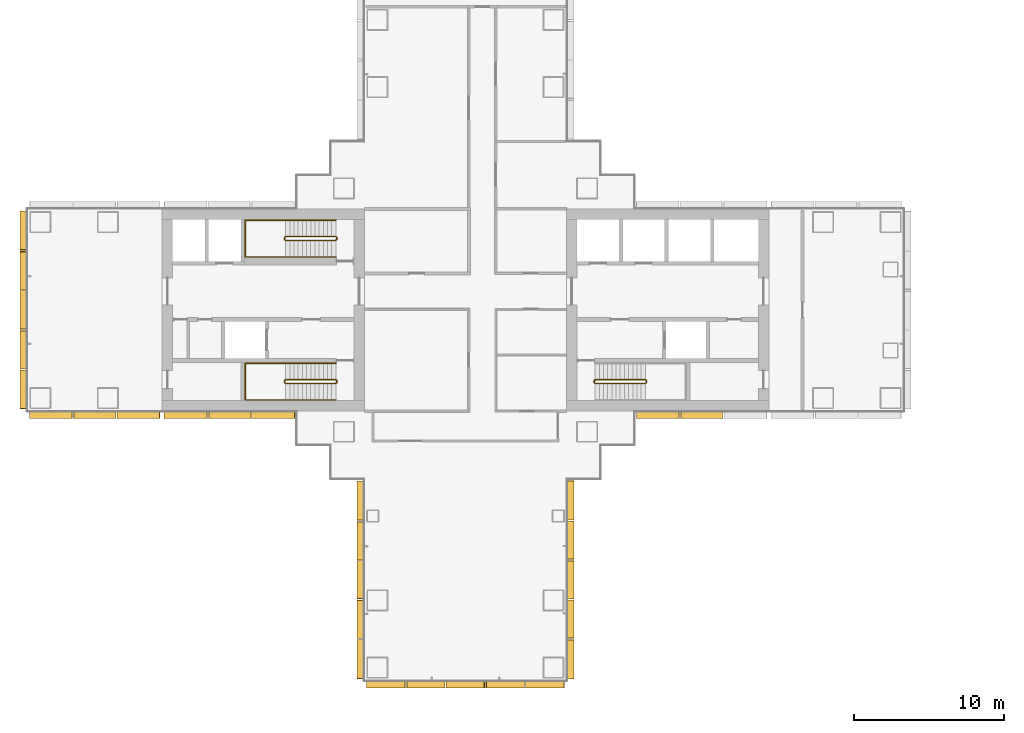
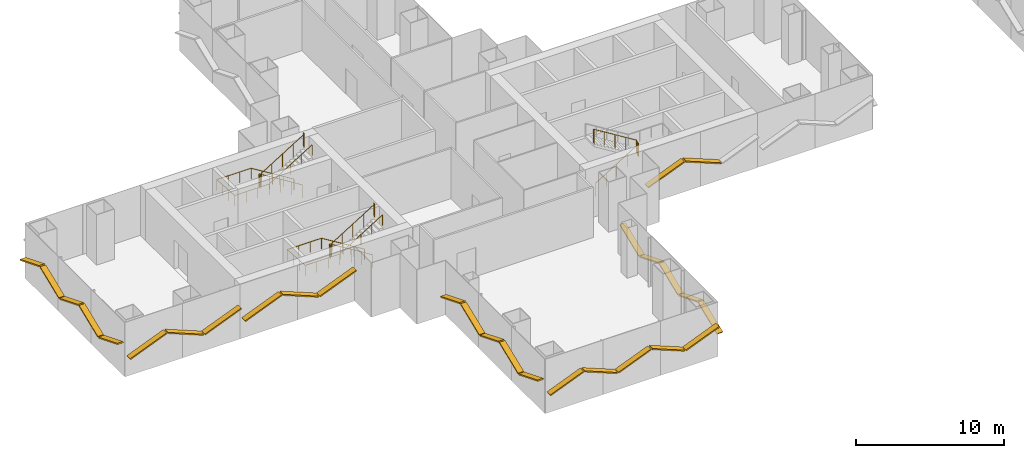
# One storey, part 19 of 22: 28 shading devices, 5 railings.
"""IFC4 building model written with IfcOpenShell, lengths in metres."""

from ifc_helpers import new_model, si_unit, direction, frame, origin, origin_2d, place, context, subcontext, project, spatial, rectangle, circle, extrude, material, material_profile, profile_set, type_object, element, save


model = new_model("IFC4")

# Units and contexts
model_context = context("Model", 3, precision=1e-05, world=origin(), true_north=direction((0.0, 1.0)))
body_context = subcontext(model_context, "Body", "Model", "MODEL_VIEW")
ifc_project = project(units=[si_unit("LENGTHUNIT", "METRE"), si_unit("AREAUNIT", "SQUARE_METRE"), si_unit("VOLUMEUNIT", "CUBIC_METRE"), si_unit("PLANEANGLEUNIT", "RADIAN"), si_unit("MASSUNIT", "GRAM", prefix="KILO")], contexts=[model_context])

# Site, building, storey
site_placement = place(None, origin())
site = spatial("IfcSite", under=ifc_project, at=site_placement, CompositionType="ELEMENT")
building_placement = place(site_placement, origin())
building = spatial("IfcBuilding", under=site, at=building_placement, Name="Shamsa Quay Exchange Towers", CompositionType="ELEMENT")
storey_placement = place(building_placement, frame((0.0, 0.0, 33.0)))
storey = spatial("IfcBuildingStorey", under=building, at=storey_placement, Name="L06", CompositionType="ELEMENT", Elevation=33.0)

# Shading devices
ifc_material_1 = material(Name="Aluminium EN AW-6063 T6, black anodised", Category="aluminium")
ifc_material_profile = material_profile(ifc_material_1, rectangle(XDim=0.449951171875, YDim=0.10009765625, at=origin_2d()), Name="FIN450x100")
ifc_profile_set = profile_set([ifc_material_profile], Name="Aluminium EN AW-6063 T6, black anodised")
shading_device_type = type_object("IfcShadingDeviceType", Name="FIN 450x100 BLACK ALUMINIUM", PredefinedType="USERDEFINED", material=ifc_profile_set)
shading_device_1_placement = place(storey_placement, frame((-40.764892578125, -11.43798828125, 1.37841796875), z_axis=(0.0, -0.927207886392, 0.374547107067), x_axis=(1.0, 0.0, 0.0)))
element("IfcShadingDevice", 1, at=shading_device_1_placement, inside=storey, type_object=shading_device_type, Name="FIN T1 chevron rib", ObjectType="FIN", PredefinedType="USERDEFINED", context=body_context, shape_type="SweptSolid", body=[
    extrude(rectangle(XDim=0.449951171875, YDim=0.10009765625, at=origin_2d()), origin(), (0.0, 0.0, 1.0), 2.78515625),
])
for number, where, z_axis, x_axis, name in (
    (2, (-40.764892578125, -14.120361328125, 2.41162109375), (0.0, -0.927182738176, -0.374609356569), (1.0, 0.0, 0.0), "FIN T1 chevron rib"),
    (3, (-40.764892578125, -16.752685546875, 1.388427734375), (0.0, -0.927182738176, 0.374609356569), (1.0, 0.0, 0.0), "FIN T1 chevron rib"),
):
    element("IfcShadingDevice", number, at=place(storey_placement, frame(where, z_axis=z_axis, x_axis=x_axis)), inside=storey, type_object=shading_device_type, Name=name, ObjectType="FIN", PredefinedType="USERDEFINED", context=body_context, shape_type="SweptSolid", body=[
        extrude(rectangle(XDim=0.449951171875, YDim=0.10009765625, at=origin_2d()), origin(), (0.0, 0.0, 1.0), 2.7314453125),
    ])
shading_device_2_placement = place(storey_placement, frame((-40.764892578125, -19.38525390625, 2.41162109375), z_axis=(0.0, -0.927170193131, -0.37464040488), x_axis=(1.0, 0.0, 0.0)))
element("IfcShadingDevice", 4, at=shading_device_2_placement, inside=storey, type_object=shading_device_type, Name="FIN T1 chevron rib", ObjectType="FIN", PredefinedType="USERDEFINED", context=body_context, shape_type="SweptSolid", body=[
    extrude(rectangle(XDim=0.449951171875, YDim=0.10009765625, at=origin_2d()), origin(), (0.0, 0.0, 1.0), 2.731201171875),
])
shading_device_3_placement = place(storey_placement, frame((-40.764892578125, -22.017578125, 1.37841796875), z_axis=(0.0, -0.927207886392, 0.374547107067), x_axis=(1.0, 0.0, 0.0)))
element("IfcShadingDevice", 5, at=shading_device_3_placement, inside=storey, type_object=shading_device_type, Name="FIN T1 chevron rib", ObjectType="FIN", PredefinedType="USERDEFINED", context=body_context, shape_type="SweptSolid", body=[
    extrude(rectangle(XDim=0.449951171875, YDim=0.10009765625, at=origin_2d()), origin(), (0.0, 0.0, 1.0), 2.78515625),
])
shading_device_4_placement = place(storey_placement, frame((-40.35009765625, -25.014892578125, 1.376708984375), z_axis=(0.927193392866, 0.0, 0.374582984431), x_axis=(0.0, 1.0, 0.0)))
element("IfcShadingDevice", 6, at=shading_device_4_placement, inside=storey, type_object=shading_device_type, Name="FIN T1 chevron rib", ObjectType="FIN", PredefinedType="USERDEFINED", context=body_context, shape_type="SweptSolid", body=[
    extrude(rectangle(XDim=0.449951171875, YDim=0.10009765625, at=origin_2d()), origin(), (0.0, 0.0, 1.0), 2.79345703125),
])
shading_device_5_placement = place(storey_placement, frame((-37.659912109375, -25.014892578125, 2.4130859375), z_axis=(0.92718648049, 0.0, -0.374600093963), x_axis=(0.0, 1.0, 0.0)))
element("IfcShadingDevice", 7, at=shading_device_5_placement, inside=storey, type_object=shading_device_type, Name="FIN T1 chevron rib", ObjectType="FIN", PredefinedType="USERDEFINED", context=body_context, shape_type="SweptSolid", body=[
    extrude(rectangle(XDim=0.449951171875, YDim=0.10009765625, at=origin_2d()), origin(), (0.0, 0.0, 1.0), 2.7392578125),
])
shading_device_6_placement = place(storey_placement, frame((-35.02001953125, -25.014892578125, 1.386962890625), z_axis=(0.927198985683, 0.0, 0.37456914041), x_axis=(0.0, 1.0, 0.0)))
element("IfcShadingDevice", 8, at=shading_device_6_placement, inside=storey, type_object=shading_device_type, Name="FIN T1 chevron rib", ObjectType="FIN", PredefinedType="USERDEFINED", context=body_context, shape_type="SweptSolid", body=[
    extrude(rectangle(XDim=0.449951171875, YDim=0.10009765625, at=origin_2d()), origin(), (0.0, 0.0, 1.0), 2.739501953125),
])
shading_device_7_placement = place(storey_placement, frame((-32.3798828125, -25.014892578125, 2.4130859375), z_axis=(0.92718648049, 0.0, -0.374600093963), x_axis=(0.0, 1.0, 0.0)))
element("IfcShadingDevice", 9, at=shading_device_7_placement, inside=storey, type_object=shading_device_type, Name="FIN T1 chevron rib", ObjectType="FIN", PredefinedType="USERDEFINED", context=body_context, shape_type="SweptSolid", body=[
    extrude(rectangle(XDim=0.449951171875, YDim=0.10009765625, at=origin_2d()), origin(), (0.0, 0.0, 1.0), 2.7392578125),
])
for number, where, z_axis, x_axis, name in (
    (10, (-29.739990234375, -25.014892578125, 1.376708984375), (0.927193392866, 0.0, 0.374582984431), (0.0, 1.0, 0.0), "FIN T1 chevron rib"),
    (11, (-26.735107421875, -24.60009765625, 1.376708984375), (0.0, 0.927193392866, 0.374582984431), (-1.0, 0.0, 0.0), "FIN T1 chevron rib"),
):
    element("IfcShadingDevice", number, at=place(storey_placement, frame(where, z_axis=z_axis, x_axis=x_axis)), inside=storey, type_object=shading_device_type, Name=name, ObjectType="FIN", PredefinedType="USERDEFINED", context=body_context, shape_type="SweptSolid", body=[
        extrude(rectangle(XDim=0.449951171875, YDim=0.10009765625, at=origin_2d()), origin(), (0.0, 0.0, 1.0), 2.79345703125),
    ])
shading_device_8_placement = place(storey_placement, frame((-26.735107421875, -21.909912109375, 2.4130859375), z_axis=(0.0, 0.92718648049, -0.374600093963), x_axis=(-1.0, 0.0, 0.0)))
element("IfcShadingDevice", 12, at=shading_device_8_placement, inside=storey, type_object=shading_device_type, Name="FIN T1 chevron rib", ObjectType="FIN", PredefinedType="USERDEFINED", context=body_context, shape_type="SweptSolid", body=[
    extrude(rectangle(XDim=0.449951171875, YDim=0.10009765625, at=origin_2d()), origin(), (0.0, 0.0, 1.0), 2.7392578125),
])
shading_device_9_placement = place(storey_placement, frame((-26.735107421875, -19.27001953125, 1.386962890625), z_axis=(0.0, 0.927198985683, 0.37456914041), x_axis=(-1.0, 0.0, 0.0)))
element("IfcShadingDevice", 13, at=shading_device_9_placement, inside=storey, type_object=shading_device_type, Name="FIN T1 chevron rib", ObjectType="FIN", PredefinedType="USERDEFINED", context=body_context, shape_type="SweptSolid", body=[
    extrude(rectangle(XDim=0.449951171875, YDim=0.10009765625, at=origin_2d()), origin(), (0.0, 0.0, 1.0), 2.739501953125),
])
shading_device_10_placement = place(storey_placement, frame((-26.735107421875, -16.6298828125, 2.4130859375), z_axis=(0.0, 0.92718648049, -0.374600093963), x_axis=(-1.0, 0.0, 0.0)))
element("IfcShadingDevice", 14, at=shading_device_10_placement, inside=storey, type_object=shading_device_type, Name="FIN T1 chevron rib", ObjectType="FIN", PredefinedType="USERDEFINED", context=body_context, shape_type="SweptSolid", body=[
    extrude(rectangle(XDim=0.449951171875, YDim=0.10009765625, at=origin_2d()), origin(), (0.0, 0.0, 1.0), 2.7392578125),
])
shading_device_11_placement = place(storey_placement, frame((-26.735107421875, -13.989990234375, 1.376708984375), z_axis=(0.0, 0.927193392866, 0.374582984431), x_axis=(-1.0, 0.0, 0.0)))
element("IfcShadingDevice", 15, at=shading_device_11_placement, inside=storey, type_object=shading_device_type, Name="FIN T1 chevron rib", ObjectType="FIN", PredefinedType="USERDEFINED", context=body_context, shape_type="SweptSolid", body=[
    extrude(rectangle(XDim=0.449951171875, YDim=0.10009765625, at=origin_2d()), origin(), (0.0, 0.0, 1.0), 2.79345703125),
])
shading_device_12_placement = place(storey_placement, frame((-22.31201171875, -7.01904296875, 1.326904296875), z_axis=(0.927200279974, 0.0, 0.374565936541), x_axis=(0.0, 1.0, 0.0)))
element("IfcShadingDevice", 16, at=shading_device_12_placement, inside=storey, type_object=shading_device_type, Name="FIN T1 chevron rib", ObjectType="FIN", PredefinedType="USERDEFINED", context=body_context, shape_type="SweptSolid", body=[
    extrude(rectangle(XDim=0.449951171875, YDim=0.10009765625, at=origin_2d()), origin(), (0.0, 0.0, 1.0), 3.060302734375),
])
shading_device_13_placement = place(storey_placement, frame((-19.374755859375, -7.01904296875, 2.463134765625), z_axis=(0.927177294124, 0.0, -0.374622830673), x_axis=(0.0, 1.0, 0.0)))
element("IfcShadingDevice", 17, at=shading_device_13_placement, inside=storey, type_object=shading_device_type, Name="FIN T1 chevron rib", ObjectType="FIN", PredefinedType="USERDEFINED", context=body_context, shape_type="SweptSolid", body=[
    extrude(rectangle(XDim=0.449951171875, YDim=0.10009765625, at=origin_2d()), origin(), (0.0, 0.0, 1.0), 3.00634765625),
])
shading_device_14_placement = place(storey_placement, frame((-63.264892578125, 6.60009765625, 1.376708984375), z_axis=(0.0, -0.927193392866, 0.374582984431), x_axis=(1.0, 0.0, 0.0)))
element("IfcShadingDevice", 18, at=shading_device_14_placement, inside=storey, type_object=shading_device_type, Name="FIN T1 chevron rib", ObjectType="FIN", PredefinedType="USERDEFINED", context=body_context, shape_type="SweptSolid", body=[
    extrude(rectangle(XDim=0.449951171875, YDim=0.10009765625, at=origin_2d()), origin(), (0.0, 0.0, 1.0), 2.79345703125),
])
shading_device_15_placement = place(storey_placement, frame((-63.264892578125, 3.909912109375, 2.4130859375), z_axis=(0.0, -0.92718648049, -0.374600093963), x_axis=(1.0, 0.0, 0.0)))
element("IfcShadingDevice", 19, at=shading_device_15_placement, inside=storey, type_object=shading_device_type, Name="FIN T1 chevron rib", ObjectType="FIN", PredefinedType="USERDEFINED", context=body_context, shape_type="SweptSolid", body=[
    extrude(rectangle(XDim=0.449951171875, YDim=0.10009765625, at=origin_2d()), origin(), (0.0, 0.0, 1.0), 2.7392578125),
])
shading_device_16_placement = place(storey_placement, frame((-63.264892578125, 1.27001953125, 1.386962890625), z_axis=(0.0, -0.927198985683, 0.37456914041), x_axis=(1.0, 0.0, 0.0)))
element("IfcShadingDevice", 20, at=shading_device_16_placement, inside=storey, type_object=shading_device_type, Name="FIN T1 chevron rib", ObjectType="FIN", PredefinedType="USERDEFINED", context=body_context, shape_type="SweptSolid", body=[
    extrude(rectangle(XDim=0.449951171875, YDim=0.10009765625, at=origin_2d()), origin(), (0.0, 0.0, 1.0), 2.739501953125),
])
shading_device_17_placement = place(storey_placement, frame((-63.264892578125, -1.3701171875, 2.4130859375), z_axis=(0.0, -0.92718648049, -0.374600093963), x_axis=(1.0, 0.0, 0.0)))
element("IfcShadingDevice", 21, at=shading_device_17_placement, inside=storey, type_object=shading_device_type, Name="FIN T1 chevron rib", ObjectType="FIN", PredefinedType="USERDEFINED", context=body_context, shape_type="SweptSolid", body=[
    extrude(rectangle(XDim=0.449951171875, YDim=0.10009765625, at=origin_2d()), origin(), (0.0, 0.0, 1.0), 2.7392578125),
])
shading_device_18_placement = place(storey_placement, frame((-63.264892578125, -4.010009765625, 1.376708984375), z_axis=(0.0, -0.927193392866, 0.374582984431), x_axis=(1.0, 0.0, 0.0)))
element("IfcShadingDevice", 22, at=shading_device_18_placement, inside=storey, type_object=shading_device_type, Name="FIN T1 chevron rib", ObjectType="FIN", PredefinedType="USERDEFINED", context=body_context, shape_type="SweptSolid", body=[
    extrude(rectangle(XDim=0.449951171875, YDim=0.10009765625, at=origin_2d()), origin(), (0.0, 0.0, 1.0), 2.79345703125),
])
shading_device_19_placement = place(storey_placement, frame((-62.85009765625, -7.014892578125, 1.32421875), z_axis=(0.927172879528, 0.0, 0.374633756445), x_axis=(0.0, 1.0, 0.0)))
element("IfcShadingDevice", 23, at=shading_device_19_placement, inside=storey, type_object=shading_device_type, Name="FIN T1 chevron rib", ObjectType="FIN", PredefinedType="USERDEFINED", context=body_context, shape_type="SweptSolid", body=[
    extrude(rectangle(XDim=0.449951171875, YDim=0.10009765625, at=origin_2d()), origin(), (0.0, 0.0, 1.0), 3.073974609375),
])
shading_device_20_placement = place(storey_placement, frame((-59.89990234375, -7.014892578125, 2.465576171875), z_axis=(0.927194321903, 0.0, -0.374580684808), x_axis=(0.0, 1.0, 0.0)))
element("IfcShadingDevice", 24, at=shading_device_20_placement, inside=storey, type_object=shading_device_type, Name="FIN T1 chevron rib", ObjectType="FIN", PredefinedType="USERDEFINED", context=body_context, shape_type="SweptSolid", body=[
    extrude(rectangle(XDim=0.449951171875, YDim=0.10009765625, at=origin_2d()), origin(), (0.0, 0.0, 1.0), 3.01953125),
])
for number, where, z_axis, x_axis, name in (
    (25, (-57.0, -7.014892578125, 1.32421875), (0.927172879528, 0.0, 0.374633756445), (0.0, 1.0, 0.0), "FIN T1 chevron rib"),
    (26, (-53.85009765625, -7.01904296875, 1.32421875), (0.927172879528, 0.0, 0.374633756445), (0.0, 1.0, 0.0), "FIN T1 chevron rib"),
):
    element("IfcShadingDevice", number, at=place(storey_placement, frame(where, z_axis=z_axis, x_axis=x_axis)), inside=storey, type_object=shading_device_type, Name=name, ObjectType="FIN", PredefinedType="USERDEFINED", context=body_context, shape_type="SweptSolid", body=[
        extrude(rectangle(XDim=0.449951171875, YDim=0.10009765625, at=origin_2d()), origin(), (0.0, 0.0, 1.0), 3.073974609375),
    ])
shading_device_21_placement = place(storey_placement, frame((-50.89990234375, -7.01904296875, 2.465576171875), z_axis=(0.927194321903, 0.0, -0.374580684808), x_axis=(0.0, 1.0, 0.0)))
element("IfcShadingDevice", 27, at=shading_device_21_placement, inside=storey, type_object=shading_device_type, Name="FIN T1 chevron rib", ObjectType="FIN", PredefinedType="USERDEFINED", context=body_context, shape_type="SweptSolid", body=[
    extrude(rectangle(XDim=0.449951171875, YDim=0.10009765625, at=origin_2d()), origin(), (0.0, 0.0, 1.0), 3.01953125),
])
shading_device_22_placement = place(storey_placement, frame((-48.0, -7.01904296875, 1.32421875), z_axis=(0.927172879528, 0.0, 0.374633756445), x_axis=(0.0, 1.0, 0.0)))
element("IfcShadingDevice", 28, at=shading_device_22_placement, inside=storey, type_object=shading_device_type, Name="FIN T1 chevron rib", ObjectType="FIN", PredefinedType="USERDEFINED", context=body_context, shape_type="SweptSolid", body=[
    extrude(rectangle(XDim=0.449951171875, YDim=0.10009765625, at=origin_2d()), origin(), (0.0, 0.0, 1.0), 3.073974609375),
])

# Railings
ifc_material_2 = material(Name="Stainless steel", Category="steel")
railing_type_1 = type_object("IfcRailingType", Name="STAIR GUARD 1100", PredefinedType="GUARDRAIL", material=ifc_material_2)
railing_1_placement = place(storey_placement, frame((-25.10009765625, -4.89990234375, 0.173095703125)))
element("IfcRailing", 29, at=railing_1_placement, inside=storey, type_object=railing_type_1, Name="L06 ST1 stair guard 1", PredefinedType="GUARDRAIL", context=body_context, shape_type="SweptSolid", body=[
    extrude(circle(Radius=0.02392578125, at=origin_2d()), frame((0.0, 0.0, 1.076171875), z_axis=(0.850623216509, 0.0, 0.525775754039), x_axis=(0.0, 1.0, 0.0)), (0.0, 0.0, 1.0), 3.9501953125),
    extrude(circle(Radius=0.02392578125, at=origin_2d()), frame((3.360107421875, 0.0, 3.15283203125), z_axis=(0.708833529934, 0.705375805398, 0.0), x_axis=(-0.705375805398, 0.708833529934, 0.0)), (0.0, 0.0, 1.0), 0.070556640625),
    extrude(circle(Radius=0.02392578125, at=origin_2d()), frame((3.41015625, 0.0498046875, 3.15283203125), z_axis=(0.0, 1.0, 0.0), x_axis=(-1.0, 0.0, 0.0)), (0.0, 0.0, 1.0), 0.150146484375),
    extrude(circle(Radius=0.02392578125, at=origin_2d()), frame((3.41015625, 0.199951171875, 3.15283203125), z_axis=(-0.267629722418, 0.267629722418, 0.925607186314), x_axis=(-0.707106781187, -0.707106781187, 0.0)), (0.0, 0.0, 1.0), 0.18701171875),
    extrude(circle(Radius=0.02392578125, at=origin_2d()), frame((3.360107421875, 0.25, 3.326171875), z_axis=(-0.850623216509, 0.0, 0.525775754039), x_axis=(0.0, -1.0, 0.0)), (0.0, 0.0, 1.0), 3.9501953125),
    extrude(circle(Radius=0.02392578125, at=origin_2d()), frame((0.0, 0.25, 5.40283203125), z_axis=(-0.24142163986, -0.970420317083, 0.0), x_axis=(0.970420317083, -0.24142163986, 0.0)), (0.0, 0.0, 1.0), 0.206298828125),
    extrude(circle(Radius=0.02392578125, at=origin_2d()), frame((-0.0498046875, 0.0498046875, 5.40283203125), z_axis=(0.0, 1.0, 0.0), x_axis=(-1.0, 0.0, 0.0)), (0.0, 0.0, 1.0), 0.150146484375),
    extrude(circle(Radius=0.02099609375, at=origin_2d()), origin(), (0.0, 0.0, 1.0), 1.052001953125),
    extrude(circle(Radius=0.02099609375, at=origin_2d()), frame((0.840087890625, 0.0, 0.519287109375)), (0.0, 0.0, 1.0), 1.052001953125),
    extrude(circle(Radius=0.02099609375, at=origin_2d()), frame((1.68017578125, 0.0, 1.03857421875)), (0.0, 0.0, 1.0), 1.052001953125),
    extrude(circle(Radius=0.02099609375, at=origin_2d()), frame((2.52001953125, 0.0, 1.5576171875)), (0.0, 0.0, 1.0), 1.052001953125),
    extrude(circle(Radius=0.02099609375, at=origin_2d()), frame((3.360107421875, 0.0, 2.076904296875)), (0.0, 0.0, 1.0), 1.052001953125),
    extrude(circle(Radius=0.02099609375, at=origin_2d()), frame((3.41015625, 0.0498046875, 2.076904296875)), (0.0, 0.0, 1.0), 1.052001953125),
    extrude(circle(Radius=0.02099609375, at=origin_2d()), frame((3.41015625, 0.199951171875, 2.076904296875)), (0.0, 0.0, 1.0), 1.052001953125),
    extrude(circle(Radius=0.02099609375, at=origin_2d()), frame((3.360107421875, 0.25, 2.25)), (0.0, 0.0, 1.0), 1.052001953125),
    extrude(circle(Radius=0.02099609375, at=origin_2d()), frame((2.52001953125, 0.25, 2.769287109375)), (0.0, 0.0, 1.0), 1.052001953125),
    extrude(circle(Radius=0.02099609375, at=origin_2d()), frame((1.68017578125, 0.25, 3.28857421875)), (0.0, 0.0, 1.0), 1.052001953125),
    extrude(circle(Radius=0.02099609375, at=origin_2d()), frame((0.840087890625, 0.25, 3.8076171875)), (0.0, 0.0, 1.0), 1.052001953125),
    extrude(circle(Radius=0.02099609375, at=origin_2d()), frame((0.0, 0.25, 4.326904296875)), (0.0, 0.0, 1.0), 1.052001953125),
    extrude(circle(Radius=0.02099609375, at=origin_2d()), frame((-0.0498046875, 0.0498046875, 4.326904296875)), (0.0, 0.0, 1.0), 1.052001953125),
    extrude(circle(Radius=0.02099609375, at=origin_2d()), frame((-0.0498046875, 0.199951171875, 4.326904296875)), (0.0, 0.0, 1.0), 1.052001953125),
])
railing_2_placement = place(storey_placement, frame((-42.39990234375, -4.64990234375, 0.173095703125)))
element("IfcRailing", 30, at=railing_2_placement, inside=storey, type_object=railing_type_1, Name="L06 ST2 stair guard 1", PredefinedType="GUARDRAIL", context=body_context, shape_type="SweptSolid", body=[
    extrude(circle(Radius=0.02392578125, at=origin_2d()), frame((0.0, 0.0, 1.076171875), z_axis=(-0.850623216509, 0.0, 0.525775754039), x_axis=(0.0, -1.0, 0.0)), (0.0, 0.0, 1.0), 3.9501953125),
    extrude(circle(Radius=0.02392578125, at=origin_2d()), frame((-3.360107421875, 0.0, 3.15283203125), z_axis=(-0.707106781187, -0.707106781187, 0.0), x_axis=(0.707106781187, -0.707106781187, 0.0)), (0.0, 0.0, 1.0), 0.07080078125),
    extrude(circle(Radius=0.02392578125, at=origin_2d()), frame((-3.41015625, -0.050048828125, 3.15283203125), z_axis=(0.0, -1.0, 0.0), x_axis=(1.0, 0.0, 0.0)), (0.0, 0.0, 1.0), 0.150146484375),
    extrude(circle(Radius=0.02392578125, at=origin_2d()), frame((-3.41015625, -0.2001953125, 3.15283203125), z_axis=(0.267723051232, -0.266417085129, 0.925929967433), x_axis=(0.705375805398, 0.708833529934, 0.0)), (0.0, 0.0, 1.0), 0.18701171875),
    extrude(circle(Radius=0.02392578125, at=origin_2d()), frame((-3.360107421875, -0.25, 3.326171875), z_axis=(0.850623216509, 0.0, 0.525775754039), x_axis=(0.0, 1.0, 0.0)), (0.0, 0.0, 1.0), 3.9501953125),
    extrude(circle(Radius=0.02392578125, at=origin_2d()), frame((0.0, -0.25, 5.40283203125), z_axis=(0.241699205484, 0.970351222016, 0.0), x_axis=(-0.970351222016, 0.241699205484, 0.0)), (0.0, 0.0, 1.0), 0.2060546875),
    extrude(circle(Radius=0.02392578125, at=origin_2d()), frame((0.0498046875, -0.050048828125, 5.40283203125), z_axis=(0.0, -1.0, 0.0), x_axis=(1.0, 0.0, 0.0)), (0.0, 0.0, 1.0), 0.150146484375),
    extrude(circle(Radius=0.02099609375, at=origin_2d()), origin(), (0.0, 0.0, 1.0), 1.052001953125),
    extrude(circle(Radius=0.02099609375, at=origin_2d()), frame((-0.840087890625, 0.0, 0.519287109375)), (0.0, 0.0, 1.0), 1.052001953125),
    extrude(circle(Radius=0.02099609375, at=origin_2d()), frame((-1.68017578125, 0.0, 1.03857421875)), (0.0, 0.0, 1.0), 1.052001953125),
    extrude(circle(Radius=0.02099609375, at=origin_2d()), frame((-2.52001953125, 0.0, 1.5576171875)), (0.0, 0.0, 1.0), 1.052001953125),
    extrude(circle(Radius=0.02099609375, at=origin_2d()), frame((-3.360107421875, 0.0, 2.076904296875)), (0.0, 0.0, 1.0), 1.052001953125),
    extrude(circle(Radius=0.02099609375, at=origin_2d()), frame((-3.41015625, -0.050048828125, 2.076904296875)), (0.0, 0.0, 1.0), 1.052001953125),
    extrude(circle(Radius=0.02099609375, at=origin_2d()), frame((-3.41015625, -0.2001953125, 2.076904296875)), (0.0, 0.0, 1.0), 1.052001953125),
    extrude(circle(Radius=0.02099609375, at=origin_2d()), frame((-3.360107421875, -0.25, 2.25)), (0.0, 0.0, 1.0), 1.052001953125),
    extrude(circle(Radius=0.02099609375, at=origin_2d()), frame((-2.52001953125, -0.25, 2.769287109375)), (0.0, 0.0, 1.0), 1.052001953125),
    extrude(circle(Radius=0.02099609375, at=origin_2d()), frame((-1.68017578125, -0.25, 3.28857421875)), (0.0, 0.0, 1.0), 1.052001953125),
    extrude(circle(Radius=0.02099609375, at=origin_2d()), frame((-0.840087890625, -0.25, 3.8076171875)), (0.0, 0.0, 1.0), 1.052001953125),
    extrude(circle(Radius=0.02099609375, at=origin_2d()), frame((0.0, -0.25, 4.326904296875)), (0.0, 0.0, 1.0), 1.052001953125),
    extrude(circle(Radius=0.02099609375, at=origin_2d()), frame((0.0498046875, -0.050048828125, 4.326904296875)), (0.0, 0.0, 1.0), 1.052001953125),
    extrude(circle(Radius=0.02099609375, at=origin_2d()), frame((0.0498046875, -0.2001953125, 4.326904296875)), (0.0, 0.0, 1.0), 1.052001953125),
])
railing_3_placement = place(storey_placement, frame((-42.39990234375, 4.89990234375, 0.173095703125)))
element("IfcRailing", 31, at=railing_3_placement, inside=storey, type_object=railing_type_1, Name="L06 ST3 stair guard 1", PredefinedType="GUARDRAIL", context=body_context, shape_type="SweptSolid", body=[
    extrude(circle(Radius=0.02392578125, at=origin_2d()), frame((0.0, 0.0, 1.076171875), z_axis=(-0.850623216509, 0.0, 0.525775754039), x_axis=(0.0, -1.0, 0.0)), (0.0, 0.0, 1.0), 3.9501953125),
    extrude(circle(Radius=0.02392578125, at=origin_2d()), frame((-3.360107421875, 0.0, 3.15283203125), z_axis=(-0.708833529934, -0.705375805398, 0.0), x_axis=(0.705375805398, -0.708833529934, 0.0)), (0.0, 0.0, 1.0), 0.070556640625),
    extrude(circle(Radius=0.02392578125, at=origin_2d()), frame((-3.41015625, -0.0498046875, 3.15283203125), z_axis=(0.0, -1.0, 0.0), x_axis=(1.0, 0.0, 0.0)), (0.0, 0.0, 1.0), 0.150146484375),
    extrude(circle(Radius=0.02392578125, at=origin_2d()), frame((-3.41015625, -0.199951171875, 3.15283203125), z_axis=(0.267629722418, -0.267629722418, 0.925607186314), x_axis=(0.707106781187, 0.707106781187, 0.0)), (0.0, 0.0, 1.0), 0.18701171875),
    extrude(circle(Radius=0.02392578125, at=origin_2d()), frame((-3.360107421875, -0.25, 3.326171875), z_axis=(0.850623216509, 0.0, 0.525775754039), x_axis=(0.0, 1.0, 0.0)), (0.0, 0.0, 1.0), 3.9501953125),
    extrude(circle(Radius=0.02392578125, at=origin_2d()), frame((0.0, -0.25, 5.40283203125), z_axis=(0.24142163986, 0.970420317083, 0.0), x_axis=(-0.970420317083, 0.24142163986, 0.0)), (0.0, 0.0, 1.0), 0.206298828125),
    extrude(circle(Radius=0.02392578125, at=origin_2d()), frame((0.0498046875, -0.0498046875, 5.40283203125), z_axis=(0.0, -1.0, 0.0), x_axis=(1.0, 0.0, 0.0)), (0.0, 0.0, 1.0), 0.150146484375),
    extrude(circle(Radius=0.02099609375, at=origin_2d()), origin(), (0.0, 0.0, 1.0), 1.052001953125),
    extrude(circle(Radius=0.02099609375, at=origin_2d()), frame((-0.840087890625, 0.0, 0.519287109375)), (0.0, 0.0, 1.0), 1.052001953125),
    extrude(circle(Radius=0.02099609375, at=origin_2d()), frame((-1.68017578125, 0.0, 1.03857421875)), (0.0, 0.0, 1.0), 1.052001953125),
    extrude(circle(Radius=0.02099609375, at=origin_2d()), frame((-2.52001953125, 0.0, 1.5576171875)), (0.0, 0.0, 1.0), 1.052001953125),
    extrude(circle(Radius=0.02099609375, at=origin_2d()), frame((-3.360107421875, 0.0, 2.076904296875)), (0.0, 0.0, 1.0), 1.052001953125),
    extrude(circle(Radius=0.02099609375, at=origin_2d()), frame((-3.41015625, -0.0498046875, 2.076904296875)), (0.0, 0.0, 1.0), 1.052001953125),
    extrude(circle(Radius=0.02099609375, at=origin_2d()), frame((-3.41015625, -0.199951171875, 2.076904296875)), (0.0, 0.0, 1.0), 1.052001953125),
    extrude(circle(Radius=0.02099609375, at=origin_2d()), frame((-3.360107421875, -0.25, 2.25)), (0.0, 0.0, 1.0), 1.052001953125),
    extrude(circle(Radius=0.02099609375, at=origin_2d()), frame((-2.52001953125, -0.25, 2.769287109375)), (0.0, 0.0, 1.0), 1.052001953125),
    extrude(circle(Radius=0.02099609375, at=origin_2d()), frame((-1.68017578125, -0.25, 3.28857421875)), (0.0, 0.0, 1.0), 1.052001953125),
    extrude(circle(Radius=0.02099609375, at=origin_2d()), frame((-0.840087890625, -0.25, 3.8076171875)), (0.0, 0.0, 1.0), 1.052001953125),
    extrude(circle(Radius=0.02099609375, at=origin_2d()), frame((0.0, -0.25, 4.326904296875)), (0.0, 0.0, 1.0), 1.052001953125),
    extrude(circle(Radius=0.02099609375, at=origin_2d()), frame((0.0498046875, -0.0498046875, 4.326904296875)), (0.0, 0.0, 1.0), 1.052001953125),
    extrude(circle(Radius=0.02099609375, at=origin_2d()), frame((0.0498046875, -0.199951171875, 4.326904296875)), (0.0, 0.0, 1.0), 1.052001953125),
])
railing_type_2 = type_object("IfcRailingType", Name="STAIR HANDRAIL 900", PredefinedType="HANDRAIL", material=ifc_material_2)
railing_4_placement = place(storey_placement, frame((-42.39990234375, -3.550048828125, 0.173095703125)))
element("IfcRailing", 32, at=railing_4_placement, inside=storey, type_object=railing_type_2, Name="L06 ST2 stair handrail 1", PredefinedType="HANDRAIL", context=body_context, shape_type="SweptSolid", body=[
    extrude(circle(Radius=0.02392578125, at=origin_2d()), frame((0.0, 0.0, 0.8759765625), z_axis=(-0.850623216509, 0.0, 0.525775754039), x_axis=(0.0, -1.0, 0.0)), (0.0, 0.0, 1.0), 3.9501953125),
    extrude(circle(Radius=0.02392578125, at=origin_2d()), frame((-3.360107421875, 0.0, 2.95263671875), z_axis=(-1.0, 0.0, 0.0), x_axis=(0.0, -1.0, 0.0)), (0.0, 0.0, 1.0), 2.68994140625),
    extrude(circle(Radius=0.02392578125, at=origin_2d()), frame((-6.050048828125, 0.0, 2.95263671875), z_axis=(0.0, -0.997513402493, 0.07047703063), x_axis=(1.0, 0.0, 0.0)), (0.0, 0.0, 1.0), 2.4560546875),
    extrude(circle(Radius=0.02392578125, at=origin_2d()), frame((-6.050048828125, -2.449951171875, 3.1259765625), z_axis=(1.0, 0.0, 0.0), x_axis=(0.0, 1.0, 0.0)), (0.0, 0.0, 1.0), 2.68994140625),
    extrude(circle(Radius=0.02392578125, at=origin_2d()), frame((-3.360107421875, -2.449951171875, 3.1259765625), z_axis=(0.850623216509, 0.0, 0.525775754039), x_axis=(0.0, 1.0, 0.0)), (0.0, 0.0, 1.0), 3.9501953125),
    extrude(circle(Radius=0.02099609375, at=origin_2d()), origin(), (0.0, 0.0, 1.0), 0.851806640625),
    extrude(circle(Radius=0.02099609375, at=origin_2d()), frame((-0.840087890625, 0.0, 0.519287109375)), (0.0, 0.0, 1.0), 0.851806640625),
    extrude(circle(Radius=0.02099609375, at=origin_2d()), frame((-1.68017578125, 0.0, 1.03857421875)), (0.0, 0.0, 1.0), 0.851806640625),
    extrude(circle(Radius=0.02099609375, at=origin_2d()), frame((-2.52001953125, 0.0, 1.5576171875)), (0.0, 0.0, 1.0), 0.851806640625),
    extrude(circle(Radius=0.02099609375, at=origin_2d()), frame((-3.360107421875, 0.0, 2.076904296875)), (0.0, 0.0, 1.0), 0.851806640625),
    extrude(circle(Radius=0.02099609375, at=origin_2d()), frame((-4.2568359375, 0.0, 2.076904296875)), (0.0, 0.0, 1.0), 0.851806640625),
    extrude(circle(Radius=0.02099609375, at=origin_2d()), frame((-5.1533203125, 0.0, 2.076904296875)), (0.0, 0.0, 1.0), 0.851806640625),
    extrude(circle(Radius=0.02099609375, at=origin_2d()), frame((-6.050048828125, 0.0, 2.076904296875)), (0.0, 0.0, 1.0), 0.851806640625),
    extrude(circle(Radius=0.02099609375, at=origin_2d()), frame((-6.050048828125, -0.816650390625, 2.134521484375)), (0.0, 0.0, 1.0), 0.851806640625),
    extrude(circle(Radius=0.02099609375, at=origin_2d()), frame((-6.050048828125, -1.63330078125, 2.1923828125)), (0.0, 0.0, 1.0), 0.851806640625),
    extrude(circle(Radius=0.02099609375, at=origin_2d()), frame((-6.050048828125, -2.449951171875, 2.25)), (0.0, 0.0, 1.0), 0.851806640625),
    extrude(circle(Radius=0.02099609375, at=origin_2d()), frame((-5.1533203125, -2.449951171875, 2.25)), (0.0, 0.0, 1.0), 0.851806640625),
    extrude(circle(Radius=0.02099609375, at=origin_2d()), frame((-4.2568359375, -2.449951171875, 2.25)), (0.0, 0.0, 1.0), 0.851806640625),
    extrude(circle(Radius=0.02099609375, at=origin_2d()), frame((-3.360107421875, -2.449951171875, 2.25)), (0.0, 0.0, 1.0), 0.851806640625),
    extrude(circle(Radius=0.02099609375, at=origin_2d()), frame((-2.52001953125, -2.449951171875, 2.769287109375)), (0.0, 0.0, 1.0), 0.851806640625),
    extrude(circle(Radius=0.02099609375, at=origin_2d()), frame((-1.68017578125, -2.449951171875, 3.28857421875)), (0.0, 0.0, 1.0), 0.851806640625),
    extrude(circle(Radius=0.02099609375, at=origin_2d()), frame((-0.840087890625, -2.449951171875, 3.8076171875)), (0.0, 0.0, 1.0), 0.851806640625),
    extrude(circle(Radius=0.02099609375, at=origin_2d()), frame((0.0, -2.449951171875, 4.326904296875)), (0.0, 0.0, 1.0), 0.851806640625),
])
railing_5_placement = place(storey_placement, frame((-42.39990234375, 6.0, 0.173095703125)))
element("IfcRailing", 33, at=railing_5_placement, inside=storey, type_object=railing_type_2, Name="L06 ST3 stair handrail 1", PredefinedType="HANDRAIL", context=body_context, shape_type="SweptSolid", body=[
    extrude(circle(Radius=0.02392578125, at=origin_2d()), frame((0.0, 0.0, 0.8759765625), z_axis=(-0.850623216509, 0.0, 0.525775754039), x_axis=(0.0, -1.0, 0.0)), (0.0, 0.0, 1.0), 3.9501953125),
    extrude(circle(Radius=0.02392578125, at=origin_2d()), frame((-3.360107421875, 0.0, 2.95263671875), z_axis=(-1.0, 0.0, 0.0), x_axis=(0.0, -1.0, 0.0)), (0.0, 0.0, 1.0), 2.68994140625),
    extrude(circle(Radius=0.02392578125, at=origin_2d()), frame((-6.050048828125, 0.0, 2.95263671875), z_axis=(0.0, -0.997513402493, 0.07047703063), x_axis=(1.0, 0.0, 0.0)), (0.0, 0.0, 1.0), 2.4560546875),
    extrude(circle(Radius=0.02392578125, at=origin_2d()), frame((-6.050048828125, -2.449951171875, 3.1259765625), z_axis=(1.0, 0.0, 0.0), x_axis=(0.0, 1.0, 0.0)), (0.0, 0.0, 1.0), 2.68994140625),
    extrude(circle(Radius=0.02392578125, at=origin_2d()), frame((-3.360107421875, -2.449951171875, 3.1259765625), z_axis=(0.850623216509, 0.0, 0.525775754039), x_axis=(0.0, 1.0, 0.0)), (0.0, 0.0, 1.0), 3.9501953125),
    extrude(circle(Radius=0.02099609375, at=origin_2d()), origin(), (0.0, 0.0, 1.0), 0.851806640625),
    extrude(circle(Radius=0.02099609375, at=origin_2d()), frame((-0.840087890625, 0.0, 0.519287109375)), (0.0, 0.0, 1.0), 0.851806640625),
    extrude(circle(Radius=0.02099609375, at=origin_2d()), frame((-1.68017578125, 0.0, 1.03857421875)), (0.0, 0.0, 1.0), 0.851806640625),
    extrude(circle(Radius=0.02099609375, at=origin_2d()), frame((-2.52001953125, 0.0, 1.5576171875)), (0.0, 0.0, 1.0), 0.851806640625),
    extrude(circle(Radius=0.02099609375, at=origin_2d()), frame((-3.360107421875, 0.0, 2.076904296875)), (0.0, 0.0, 1.0), 0.851806640625),
    extrude(circle(Radius=0.02099609375, at=origin_2d()), frame((-4.2568359375, 0.0, 2.076904296875)), (0.0, 0.0, 1.0), 0.851806640625),
    extrude(circle(Radius=0.02099609375, at=origin_2d()), frame((-5.1533203125, 0.0, 2.076904296875)), (0.0, 0.0, 1.0), 0.851806640625),
    extrude(circle(Radius=0.02099609375, at=origin_2d()), frame((-6.050048828125, 0.0, 2.076904296875)), (0.0, 0.0, 1.0), 0.851806640625),
    extrude(circle(Radius=0.02099609375, at=origin_2d()), frame((-6.050048828125, -0.816650390625, 2.134521484375)), (0.0, 0.0, 1.0), 0.851806640625),
    extrude(circle(Radius=0.02099609375, at=origin_2d()), frame((-6.050048828125, -1.63330078125, 2.1923828125)), (0.0, 0.0, 1.0), 0.851806640625),
    extrude(circle(Radius=0.02099609375, at=origin_2d()), frame((-6.050048828125, -2.449951171875, 2.25)), (0.0, 0.0, 1.0), 0.851806640625),
    extrude(circle(Radius=0.02099609375, at=origin_2d()), frame((-5.1533203125, -2.449951171875, 2.25)), (0.0, 0.0, 1.0), 0.851806640625),
    extrude(circle(Radius=0.02099609375, at=origin_2d()), frame((-4.2568359375, -2.449951171875, 2.25)), (0.0, 0.0, 1.0), 0.851806640625),
    extrude(circle(Radius=0.02099609375, at=origin_2d()), frame((-3.360107421875, -2.449951171875, 2.25)), (0.0, 0.0, 1.0), 0.851806640625),
    extrude(circle(Radius=0.02099609375, at=origin_2d()), frame((-2.52001953125, -2.449951171875, 2.769287109375)), (0.0, 0.0, 1.0), 0.851806640625),
    extrude(circle(Radius=0.02099609375, at=origin_2d()), frame((-1.68017578125, -2.449951171875, 3.28857421875)), (0.0, 0.0, 1.0), 0.851806640625),
    extrude(circle(Radius=0.02099609375, at=origin_2d()), frame((-0.840087890625, -2.449951171875, 3.8076171875)), (0.0, 0.0, 1.0), 0.851806640625),
    extrude(circle(Radius=0.02099609375, at=origin_2d()), frame((0.0, -2.449951171875, 4.326904296875)), (0.0, 0.0, 1.0), 0.851806640625),
])

save(model, "model.ifc")
